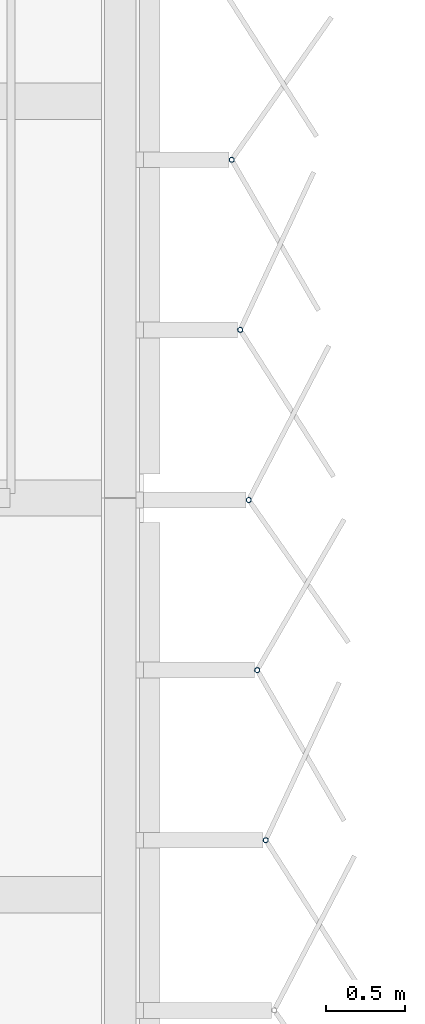
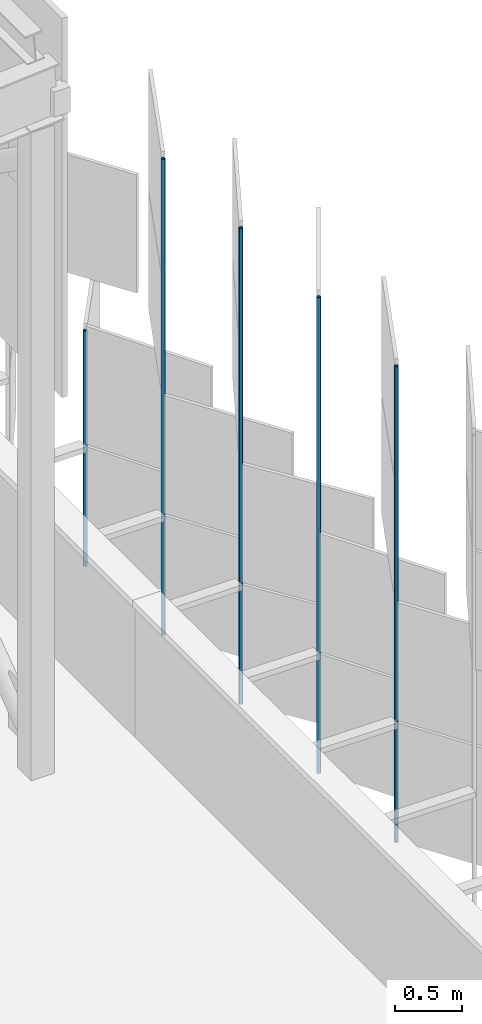
# One storey, part 178 of 483: 5 discrete accessories.
"""IFC4 building model written with IfcOpenShell, lengths in metres."""

from ifc_helpers import new_model, si_unit, direction, frame, origin, origin_2d, place, context, subcontext, project, spatial, hollow_circle, extrude, material, material_profile, profile_set, type_object, element, save


model = new_model("IFC4")

# Units and contexts
model_context = context("Model", 3, precision=1e-05, world=origin(), true_north=direction((0.0, 1.0)))
body_context = subcontext(model_context, "Body", "Model", "MODEL_VIEW")
ifc_project = project(units=[si_unit("LENGTHUNIT", "METRE"), si_unit("AREAUNIT", "SQUARE_METRE"), si_unit("VOLUMEUNIT", "CUBIC_METRE"), si_unit("PLANEANGLEUNIT", "RADIAN"), si_unit("MASSUNIT", "GRAM", prefix="KILO")], contexts=[model_context])

# Site, building, storey
site_placement = place(None, origin())
site = spatial("IfcSite", under=ifc_project, at=site_placement, CompositionType="ELEMENT")
building_placement = place(site_placement, origin())
building = spatial("IfcBuilding", under=site, at=building_placement, Name="Parallax Yard Mobility Hub", CompositionType="ELEMENT")
storey_placement = place(building_placement, frame((0.0, 0.0, 13.199951171875)))
storey = spatial("IfcBuildingStorey", under=building, at=storey_placement, Name="L04", CompositionType="ELEMENT", Elevation=13.199951171875)

# Discrete accessories
ifc_material = material(Name="Steel ASTM A500 Gr C, hot-dip galvanised", Category="steel")
ifc_material_profile = material_profile(ifc_material, hollow_circle(Radius=0.016845703125, WallThickness=0.003173828125, at=origin_2d()), Name="CHS 33.7x3.2")
ifc_profile_set = profile_set([ifc_material_profile], Name="Steel ASTM A500 Gr C, hot-dip galvanised")
discrete_accessory_type = type_object("IfcDiscreteAccessoryType", Name="Hinge post CHS 33.7x3.2", PredefinedType="BRACKET", material=ifc_profile_set)
for number, where, z_axis, x_axis, name in (
    (1, (225.76953125, 35.34423828125, 0.0), (0.0, 0.0, 1.0), (1.0, 0.0, 0.0), "Hinge post bay 33.6 level L04"),
    (2, (225.716064453125, 36.416015625, 0.0), (0.0, 0.0, 1.0), (1.0, 0.0, 0.0), "Hinge post bay 33.7 level L04"),
    (3, (225.66259765625, 37.487548828125, 0.0), (0.0, 0.0, 1.0), (1.0, 0.0, 0.0), "Hinge post bay 34.1 level L04"),
    (4, (225.60888671875, 38.559326171875, 0.0), (0.0, 0.0, 1.0), (1.0, 0.0, 0.0), "Hinge post bay 34.2 level L04"),
):
    element("IfcDiscreteAccessory", number, at=place(storey_placement, frame(where, z_axis=z_axis, x_axis=x_axis)), inside=storey, type_object=discrete_accessory_type, Name=name, PredefinedType="BRACKET", context=body_context, shape_type="SweptSolid", body=[
        extrude(hollow_circle(Radius=0.016845703125, WallThickness=0.003173828125, at=origin_2d()), origin(), (0.0, 0.0, 1.0), 4.35009765625),
    ])
discrete_accessory_placement = place(storey_placement, frame((225.555419921875, 39.631103515625, 0.0), z_axis=(0.0, 0.0, 1.0), x_axis=(1.0, 0.0, 0.0)))
element("IfcDiscreteAccessory", 5, at=discrete_accessory_placement, inside=storey, type_object=discrete_accessory_type, Name="Hinge post bay 34.3 level L04", PredefinedType="BRACKET", context=body_context, shape_type="SweptSolid", body=[
    extrude(hollow_circle(Radius=0.016845703125, WallThickness=0.003173828125, at=origin_2d()), origin(), (0.0, 0.0, 1.0), 2.150146484375),
])

save(model, "model.ifc")
